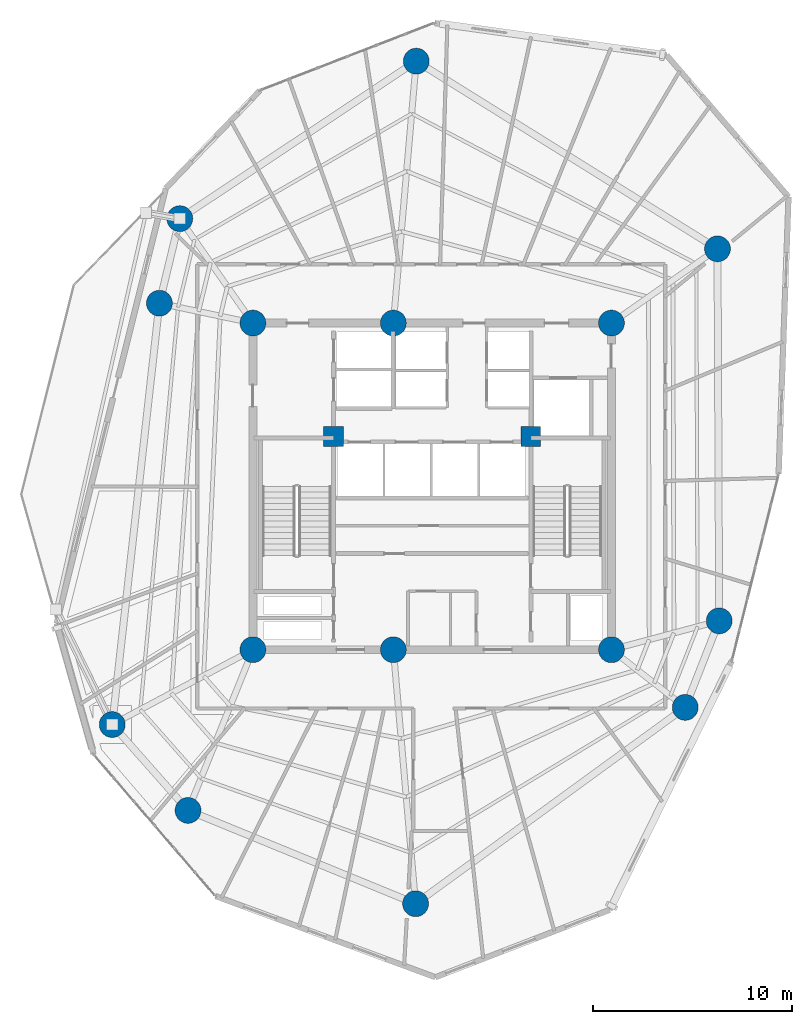
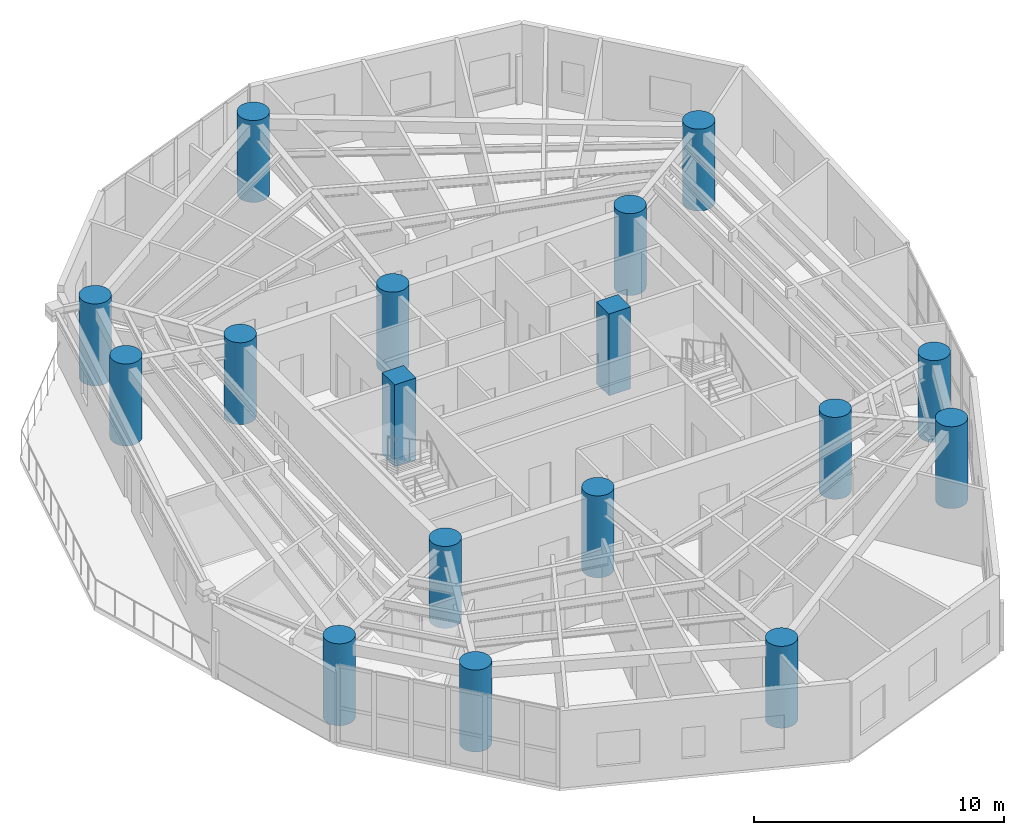
# One storey, part 1 of 14: 17 columns.
"""IFC4 building model written with IfcOpenShell, lengths in metres."""

from ifc_helpers import new_model, si_unit, direction, frame, origin, origin_with_axes, origin_2d, place, context, subcontext, project, spatial, rectangle, circle, extrude, source, transform, mapped, material, material_profile, profile_set, type_object, element, save


model = new_model("IFC4")

# Units and contexts
model_context = context("Model", 3, precision=1e-05, world=origin(), true_north=direction((0.0, 1.0)))
body_context = subcontext(model_context, "Body", "Model", "MODEL_VIEW")
ifc_project = project(units=[si_unit("LENGTHUNIT", "METRE"), si_unit("AREAUNIT", "SQUARE_METRE"), si_unit("VOLUMEUNIT", "CUBIC_METRE"), si_unit("PLANEANGLEUNIT", "RADIAN"), si_unit("MASSUNIT", "GRAM", prefix="KILO")], contexts=[model_context])

# Site, building, storey
site_placement = place(None, origin())
site = spatial("IfcSite", under=ifc_project, at=site_placement, CompositionType="ELEMENT")
building_placement = place(site_placement, origin())
building = spatial("IfcBuilding", under=site, at=building_placement, Name="Karkom Vertical University and Central Library", CompositionType="ELEMENT")
storey_placement = place(building_placement, frame((0.0, 0.0, 152.550048828125)))
storey = spatial("IfcBuildingStorey", under=building, at=storey_placement, Name="L43", CompositionType="ELEMENT", Elevation=152.550048828125)

# Columns
ifc_material = material(Name="Concrete C50/60", Category="concrete")
ifc_material_profile_1 = material_profile(ifc_material, circle(Radius=0.64990234375, at=origin_2d()), Name="CFT-D1300")
ifc_profile_set_1 = profile_set([ifc_material_profile_1], Name="Concrete C50/60")
column_type_1 = type_object("IfcColumnType", Name="STR-COL-C-SC4", PredefinedType="COLUMN", material=ifc_profile_set_1)
shared_shape_1 = source(origin_with_axes(), body_context, "Body", "SweptSolid", [
    extrude(circle(Radius=0.64990234375, at=origin_2d()), origin(), (0.0, 0.0, 1.0), 4.0),
])
for number, where, z_axis, x_axis, name in (
    (1, (19.5, 18.300048828125, 0.0), (0.0, 0.0, 1.0), (1.0, 0.0, 0.0), "Level 43 Spine Mega-Column SC-1"),
    (2, (26.550048828125, 18.300048828125, 0.0), (0.0, 0.0, 1.0), (1.0, 0.0, 0.0), "Level 43 Spine Mega-Column SC-2"),
    (3, (37.5, 18.300048828125, 0.0), (0.0, 0.0, 1.0), (1.0, 0.0, 0.0), "Level 43 Spine Mega-Column SC-3"),
    (4, (19.5, 34.699951171875, 0.0), (0.0, 0.0, 1.0), (1.0, 0.0, 0.0), "Level 43 Spine Mega-Column SC-4"),
    (5, (26.550048828125, 34.699951171875, 0.0), (0.0, 0.0, 1.0), (1.0, 0.0, 0.0), "Level 43 Spine Mega-Column SC-5"),
    (6, (37.5, 34.699951171875, 0.0), (0.0, 0.0, 1.0), (1.0, 0.0, 0.0), "Level 43 Spine Mega-Column SC-6"),
    (7, (42.908935546875, 19.7490234375, 0.0), (0.0, 0.0, 1.0), (1.0, 0.0, 0.0), "Level 43 Perimeter Mega-Column Z3-PC1"),
    (8, (42.823974609375, 38.427978515625, 0.0), (0.0, 0.0, 1.0), (1.0, 0.0, 0.0), "Level 43 Perimeter Mega-Column Z3-PC2"),
    (9, (27.699951171875, 47.85009765625, 0.0), (0.0, 0.0, 1.0), (1.0, 0.0, 0.0), "Level 43 Perimeter Mega-Column Z3-PC3"),
    (10, (15.8291015625, 39.943115234375, 0.0), (0.0, 0.0, 1.0), (1.0, 0.0, 0.0), "Level 43 Perimeter Mega-Column Z3-PC4"),
    (11, (14.804931640625, 35.697998046875, 0.0), (0.0, 0.0, 1.0), (1.0, 0.0, 0.0), "Level 43 Perimeter Mega-Column Z3-PC5"),
    (12, (12.43603515625, 14.5439453125, 0.0), (0.0, 0.0, 1.0), (1.0, 0.0, 0.0), "Level 43 Perimeter Mega-Column Z3-PC6"),
    (13, (16.240966796875, 10.23388671875, 0.0), (0.0, 0.0, 1.0), (1.0, 0.0, 0.0), "Level 43 Perimeter Mega-Column Z3-PC7"),
    (14, (27.666015625, 5.549072265625, 0.0), (0.0, 0.0, 1.0), (1.0, 0.0, 0.0), "Level 43 Perimeter Mega-Column Z3-PC8"),
    (15, (41.2041015625, 15.406005859375, 0.0), (0.0, 0.0, 1.0), (1.0, 0.0, 0.0), "Level 43 Perimeter Mega-Column Z3-PC9"),
):
    element("IfcColumn", number, at=place(storey_placement, frame(where, z_axis=z_axis, x_axis=x_axis)), inside=storey, type_object=column_type_1, Name=name, PredefinedType="COLUMN", context=body_context, shape_type="MappedRepresentation", body=[
        mapped(shared_shape_1, transform((0.0, 0.0, 0.0), scale=1.0)),
    ])
ifc_material_profile_2 = material_profile(ifc_material, rectangle(XDim=1.0, YDim=1.0, at=origin_2d()), Name="RC-1000x1000")
ifc_profile_set_2 = profile_set([ifc_material_profile_2], Name="Concrete C50/60")
column_type_2 = type_object("IfcColumnType", Name="STR-COL-C-CC2", PredefinedType="COLUMN", material=ifc_profile_set_2)
shared_shape_2 = source(origin_with_axes(), body_context, "Body", "SweptSolid", [
    extrude(rectangle(XDim=1.0, YDim=1.0, at=origin_2d()), origin(), (0.0, 0.0, 1.0), 4.0),
])
for number, where, z_axis, x_axis, name in (
    (16, (23.550048828125, 29.0, 0.0), (0.0, 0.0, 1.0), (1.0, 0.0, 0.0), "Level 43 Core Node Column CC-1"),
    (17, (33.449951171875, 29.0, 0.0), (0.0, 0.0, 1.0), (1.0, 0.0, 0.0), "Level 43 Core Node Column CC-2"),
):
    element("IfcColumn", number, at=place(storey_placement, frame(where, z_axis=z_axis, x_axis=x_axis)), inside=storey, type_object=column_type_2, Name=name, PredefinedType="COLUMN", context=body_context, shape_type="MappedRepresentation", body=[
        mapped(shared_shape_2, transform((0.0, 0.0, 0.0), scale=1.0)),
    ])

save(model, "model.ifc")
